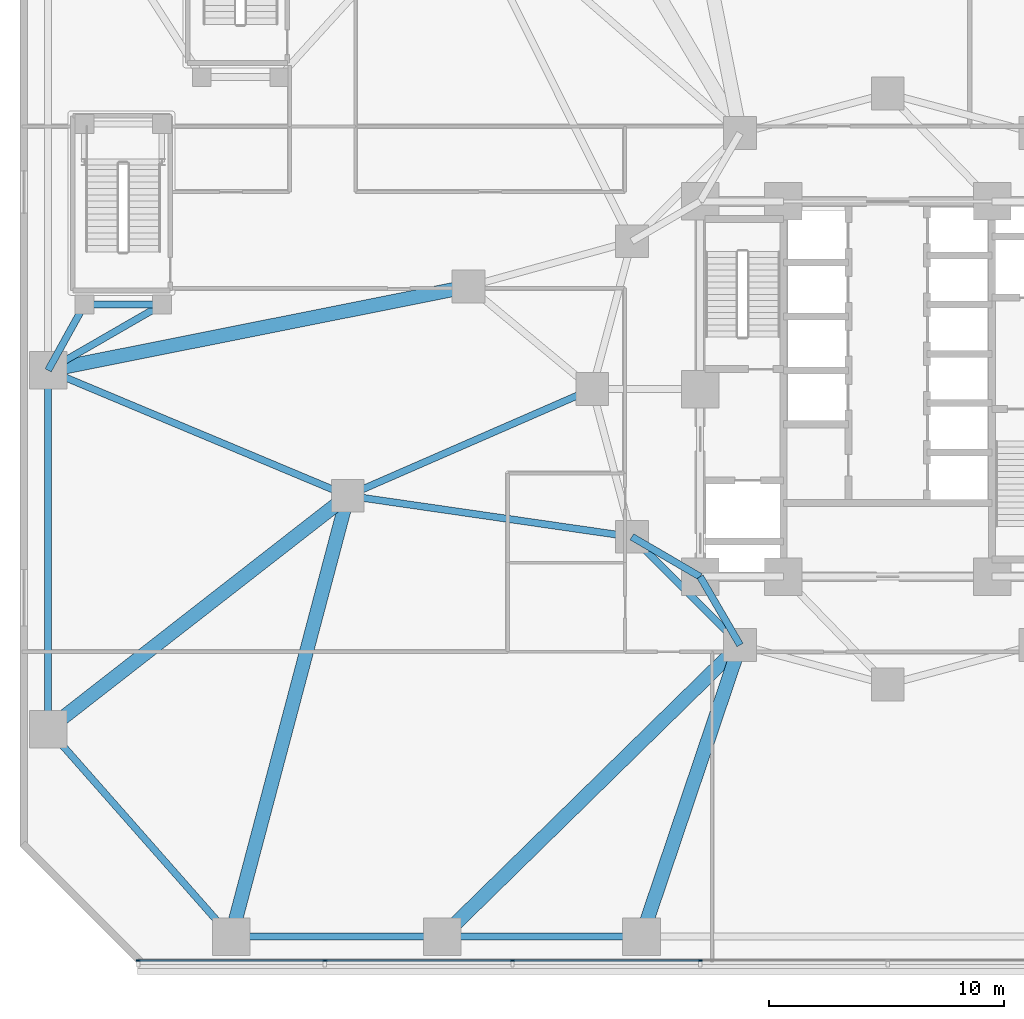
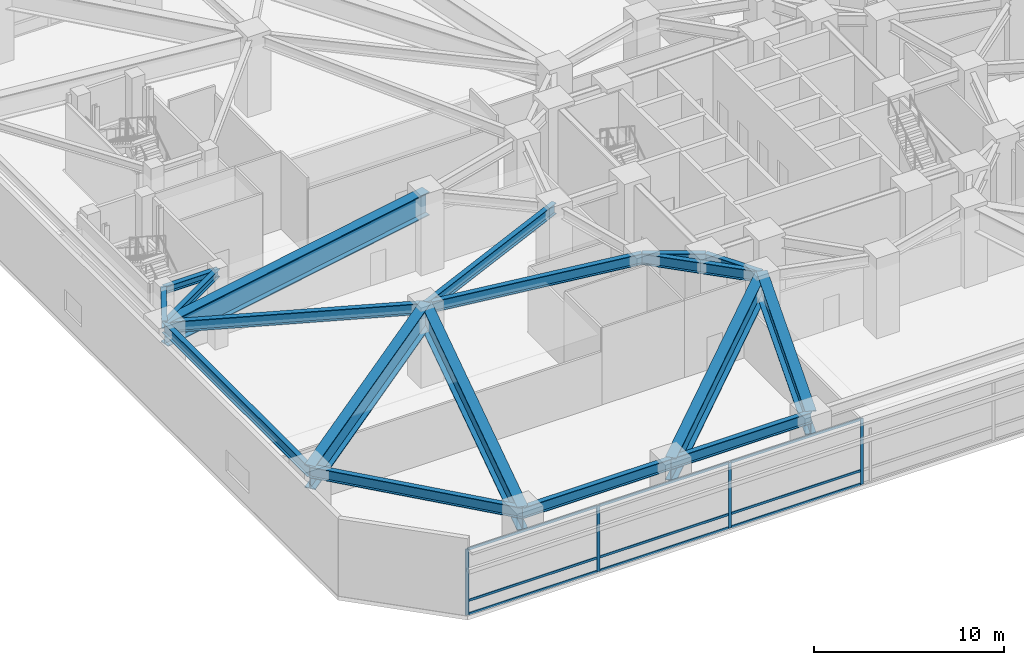
# One storey, part 5 of 27: 18 beams, 13 members, 1 element without a shape of its own.
"""IFC4 building model written with IfcOpenShell, lengths in metres."""

import ifcopenshell
import ifcopenshell.guid

model = None  # the IFC model being written
_history = None  # IfcOwnerHistory: only IFC2X3 demands one
_inside = {}  # id of a spatial element -> (the spatial element, [elements in it])
_under = {}  # id of a project, library or spatial element -> (it, [spatial elements below it])
_declared = {}  # id of a project -> (the project, [libraries it declares])
_typed = {}  # id of a type object -> (the type object, [elements of that type])
_made_of = {}  # id of a material, layer set ... -> (it, [elements and type objects made of it])


def new_model(schema):
    """Start an empty IFC model of exactly this schema.

    Asked for "IFC4X3", IfcOpenShell would pick the latest addendum, in which some entities
    have other attributes; the version numbers below select the first issue.
    IFC2X3 requires an IfcOwnerHistory on every rooted entity: one is made here for all.
    """
    global model, _history
    if schema == "IFC4X3":
        model = ifcopenshell.file(schema_version=(4, 3, 0, 0))
    else:
        model = ifcopenshell.file(schema=schema)
    _inside.clear()
    _under.clear()
    _declared.clear()
    _typed.clear()
    _made_of.clear()
    _history = None
    if model.schema == "IFC2X3":
        org = make("IfcOrganization", Name="unknown")
        user = make(
            "IfcPersonAndOrganization",
            ThePerson=make("IfcPerson", FamilyName="unknown"),
            TheOrganization=org,
        )
        app = make(
            "IfcApplication",
            ApplicationDeveloper=org,
            Version="unknown",
            ApplicationFullName="unknown",
            ApplicationIdentifier="unknown",
        )
        _history = make(
            "IfcOwnerHistory",
            OwningUser=user,
            OwningApplication=app,
            ChangeAction="ADDED",
            CreationDate=0,
        )
    return model


def make(cls, **values):
    """One entity of the class cls with the attributes given. An attribute that is None is left unset."""
    return model.create_entity(
        cls, **{name: value for name, value in values.items() if value is not None}
    )


def rooted(cls, **values):
    """An entity with a GlobalId (a new one), such as an element, a storey or a relation."""
    return make(cls, GlobalId=ifcopenshell.guid.new(), OwnerHistory=_history, **values)


def si_unit(unit_type, name, prefix=None):
    """IfcSIUnit, for example si_unit("LENGTHUNIT", "METRE", prefix="MILLI")."""
    return make("IfcSIUnit", UnitType=unit_type, Prefix=prefix, Name=name)


def assignment(units):
    """IfcUnitAssignment: the units of a project."""
    return None if units is None else make("IfcUnitAssignment", Units=units)


def point(xyz):
    """IfcCartesianPoint."""
    return None if xyz is None else make("IfcCartesianPoint", Coordinates=xyz)


def direction(xyz):
    """IfcDirection."""
    return None if xyz is None else make("IfcDirection", DirectionRatios=xyz)


def frame(location, z_axis=None, x_axis=None):
    """IfcAxis2Placement3D, a coordinate frame: its origin and axes. An axis left out is left unset."""
    return make(
        "IfcAxis2Placement3D",
        Location=point(location),
        Axis=direction(z_axis),
        RefDirection=direction(x_axis),
    )


def frame_2d(location, x_axis=None):
    """IfcAxis2Placement2D, a coordinate frame in the plane: its origin and x axis."""
    return make(
        "IfcAxis2Placement2D", Location=point(location), RefDirection=direction(x_axis)
    )


def origin():
    """The frame at (0, 0, 0) with its axes left unset."""
    return frame((0.0, 0.0, 0.0))


def origin_2d():
    """The frame at (0, 0) in the plane with its x axis left unset."""
    return frame_2d((0.0, 0.0))


def place(relative_to, where):
    """IfcLocalPlacement: puts the frame where relative to a parent placement (None: the world)."""
    return make(
        "IfcLocalPlacement", PlacementRelTo=relative_to, RelativePlacement=where
    )


def context(
    kind, dimensions, precision=None, world=None, true_north=None, identifier=None
):
    """IfcGeometricRepresentationContext, for example the 3D "Model" context."""
    return make(
        "IfcGeometricRepresentationContext",
        ContextIdentifier=identifier,
        ContextType=kind,
        CoordinateSpaceDimension=dimensions,
        Precision=precision,
        WorldCoordinateSystem=world,
        TrueNorth=true_north,
    )


def subcontext(parent, identifier, kind, view, scale=None):
    """IfcGeometricRepresentationSubContext, for example "Body" below "Model"."""
    return make(
        "IfcGeometricRepresentationSubContext",
        ContextIdentifier=identifier,
        ContextType=kind,
        ParentContext=parent,
        TargetScale=scale,
        TargetView=view,
    )


def project(units=None, contexts=None):
    """IfcProject with its units and contexts."""
    return rooted(
        "IfcProject",
        Name="project",
        RepresentationContexts=contexts,
        UnitsInContext=assignment(units),
    )


def spatial(cls, under=None, at=None, **own):
    """A site, building, storey or space (cls), placed at a placement, below another one or the project."""
    s = rooted(cls, ObjectPlacement=at, **own)
    if under is not None:
        _under.setdefault(under.id(), (under, []))[1].append(s)
    return s


def profile(cls, at=None, kind="AREA", **sizes):
    """A parametric profile (cls). Its sizes go by their IFC names, for example OverallWidth=200.0."""
    return make(cls, ProfileType=kind, Position=at, **sizes)


def rectangle(**sizes):
    """IfcRectangleProfileDef."""
    return profile("IfcRectangleProfileDef", **sizes)


def i_section(**sizes):
    """IfcIShapeProfileDef."""
    return profile("IfcIShapeProfileDef", **sizes)


def extrude(swept, where, along, depth):
    """IfcExtrudedAreaSolid: the profile swept, set in the frame where, extruded along a direction by depth."""
    return make(
        "IfcExtrudedAreaSolid",
        SweptArea=swept,
        Position=where,
        ExtrudedDirection=direction(along),
        Depth=depth,
    )


def shape(context_of_items, identifier, shape_type, items):
    """IfcShapeRepresentation: the items that make up one representation, for example the "Body"."""
    return make(
        "IfcShapeRepresentation",
        ContextOfItems=context_of_items,
        RepresentationIdentifier=identifier,
        RepresentationType=shape_type,
        Items=items,
    )


def material(Name=None, Category=None):
    """IfcMaterial."""
    return make("IfcMaterial", Name=Name, Category=Category)


def layer(
    of_material, thickness, ventilated=None, Name=None, Category=None, Priority=None
):
    """IfcMaterialLayer: one layer of a wall or slab, of a material (None: an air gap)."""
    return make(
        "IfcMaterialLayer",
        Material=of_material,
        LayerThickness=thickness,
        IsVentilated=ventilated,
        Name=Name,
        Category=Category,
        Priority=Priority,
    )


def layer_set(layers, Name=None):
    """IfcMaterialLayerSet."""
    return make("IfcMaterialLayerSet", MaterialLayers=layers, LayerSetName=Name)


def material_profile(
    of_material, cross_section, Name=None, Category=None, Priority=None
):
    """IfcMaterialProfile: a cross section and its material."""
    return make(
        "IfcMaterialProfile",
        Name=Name,
        Material=of_material,
        Profile=cross_section,
        Priority=Priority,
        Category=Category,
    )


def profile_set(profiles, Name=None, composite=None):
    """IfcMaterialProfileSet."""
    return make(
        "IfcMaterialProfileSet",
        Name=Name,
        MaterialProfiles=profiles,
        CompositeProfile=composite,
    )


def made_of(thing, what):
    """Note that an element or type object is made of a material, layer set ...; save() writes the relation."""
    if what is not None:
        _made_of.setdefault(what.id(), (what, []))[1].append(thing)
    return thing


def type_object(cls, material=None, **own):
    """A type object (cls), such as IfcWallType, which elements share."""
    return made_of(rooted(cls, **own), material)


def element(
    cls,
    number,
    at=None,
    inside=None,
    cuts=None,
    type_object=None,
    material=None,
    context=None,
    identifier="Body",
    shape_type=None,
    held_by="IfcProductDefinitionShape",
    body=None,
    shapes=None,
    **own,
):
    """One element of the class cls, such as IfcWall. Its Tag is "e" and its number.

    at: its placement. inside: the storey or other place that contains it. cuts: it is an
    opening in that element (IfcRelVoidsElement). A single representation is given by context,
    identifier, shape_type and body (its items); several are given by shapes. held_by: the class
    of the entity that holds the representations. save() writes the other relations.
    """
    e = rooted(cls, Tag="e%d" % number, ObjectPlacement=at, **own)
    if body is not None:
        shapes = [shape(context, identifier, shape_type, body)]
    if shapes is not None:
        e.Representation = make(held_by, Representations=shapes)
    if inside is not None:
        _inside.setdefault(inside.id(), (inside, []))[1].append(e)
    if cuts is not None:
        rooted(
            "IfcRelVoidsElement", RelatingBuildingElement=cuts, RelatedOpeningElement=e
        )
    if type_object is not None:
        _typed.setdefault(type_object.id(), (type_object, []))[1].append(e)
    return made_of(e, material)


def aggregate(whole, parts):
    """IfcRelAggregates: a whole, such as a stair, and the parts it consists of."""
    return rooted("IfcRelAggregates", RelatingObject=whole, RelatedObjects=parts)


def save(model, path):
    """Write the relations noted so far, then the file.

    IfcRelAggregates (storeys below a building ...), IfcRelContainedInSpatialStructure (elements
    in a storey), IfcRelDefinesByType, IfcRelAssociatesMaterial and IfcRelDeclares: one each for
    every whole, place, type object, material and project.
    """
    for whole, parts in _under.values():
        aggregate(whole, parts)
    for where, things in _inside.values():
        rooted(
            "IfcRelContainedInSpatialStructure",
            RelatedElements=things,
            RelatingStructure=where,
        )
    for kind, things in _typed.values():
        rooted("IfcRelDefinesByType", RelatedObjects=things, RelatingType=kind)
    for what, things in _made_of.values():
        rooted("IfcRelAssociatesMaterial", RelatedObjects=things, RelatingMaterial=what)
    for by, libraries in _declared.values():
        rooted("IfcRelDeclares", RelatingContext=by, RelatedDefinitions=libraries)
    model.write(path)


model = new_model("IFC4")

# Units and contexts
model_context = context("Model", 3, precision=1e-05, world=origin(), true_north=direction((0.0, 1.0)))
body_context = subcontext(model_context, "Body", "Model", "MODEL_VIEW")
ifc_project = project(units=[si_unit("LENGTHUNIT", "METRE"), si_unit("AREAUNIT", "SQUARE_METRE"), si_unit("VOLUMEUNIT", "CUBIC_METRE"), si_unit("PLANEANGLEUNIT", "RADIAN"), si_unit("MASSUNIT", "GRAM", prefix="KILO")], contexts=[model_context])

# Site, building, storey
site_placement = place(None, origin())
site = spatial("IfcSite", under=ifc_project, at=site_placement, CompositionType="ELEMENT")
building_placement = place(site_placement, origin())
building = spatial("IfcBuilding", under=site, at=building_placement, Name="Terralouvre Media Tower", CompositionType="ELEMENT")
storey_placement = place(building_placement, frame((0.0, 0.0, 15.60009765625)))
storey = spatial("IfcBuildingStorey", under=building, at=storey_placement, Name="L03", CompositionType="ELEMENT", Elevation=15.60009765625)

# Curtain wall, members
ifc_material_1 = material(Name="Low-iron laminated double glazing with solar-control coating", Category="glass")
ifc_layer = layer(ifc_material_1, 0.1650390625, Name="Podium Broadcast Gallery Glazing CW-01")
ifc_layer_set = layer_set([ifc_layer], Name="Low-iron laminated double glazing with solar-control coating")
curtain_wall_type = type_object("IfcCurtainWallType", Name="Podium Broadcast Gallery Glazing CW-01", PredefinedType="NOTDEFINED", material=ifc_layer_set)
curtain_wall_placement = place(storey_placement, origin())
curtain_wall = element("IfcCurtainWall", 1, at=curtain_wall_placement, inside=storey, type_object=curtain_wall_type, Name="L03 Podium Curtain Wall F0", PredefinedType="NOTDEFINED")
ifc_material_2 = material(Name="Anodised extruded aluminium 6063-T6", Category="aluminium")
ifc_material_profile_1 = material_profile(ifc_material_2, rectangle(XDim=0.074951171875, YDim=0.14990234375, at=origin_2d()), Name="ALU 75x150")
ifc_profile_set_1 = profile_set([ifc_material_profile_1], Name="Anodised extruded aluminium 6063-T6")
member_type_1 = type_object("IfcMemberType", Name="Curtain-Wall Horizontal Transom TR-150", PredefinedType="USERDEFINED", material=ifc_profile_set_1)
member_1_placement = place(storey_placement, frame((-31.925048828125, -24.360107421875, 0.037353515625), z_axis=(1.0, 0.0, 0.0), x_axis=(0.0, 1.0, 0.0)))
member_1 = element("IfcMember", 2, at=member_1_placement, type_object=member_type_1, Name="CW-01 transom 1.1", ObjectType="TRANSOM", PredefinedType="USERDEFINED", context=body_context, shape_type="SweptSolid", body=[
    extrude(rectangle(XDim=0.074951171875, YDim=0.14990234375, at=origin_2d()), origin(), (0.0, 0.0, 1.0), 7.887451171875),
])
member_2_placement = place(storey_placement, frame((-31.925048828125, -24.360107421875, 0.89990234375), z_axis=(1.0, 0.0, 0.0), x_axis=(0.0, 1.0, 0.0)))
member_2 = element("IfcMember", 3, at=member_2_placement, type_object=member_type_1, Name="CW-01 transom 1.2", ObjectType="TRANSOM", PredefinedType="USERDEFINED", context=body_context, shape_type="SweptSolid", body=[
    extrude(rectangle(XDim=0.074951171875, YDim=0.14990234375, at=origin_2d()), origin(), (0.0, 0.0, 1.0), 7.887451171875),
])
member_3_placement = place(storey_placement, frame((-31.925048828125, -24.360107421875, 4.1923828125), z_axis=(1.0, 0.0, 0.0), x_axis=(0.0, 1.0, 0.0)))
member_3 = element("IfcMember", 4, at=member_3_placement, type_object=member_type_1, Name="CW-01 transom 1.3", ObjectType="TRANSOM", PredefinedType="USERDEFINED", context=body_context, shape_type="SweptSolid", body=[
    extrude(rectangle(XDim=0.074951171875, YDim=0.14990234375, at=origin_2d()), origin(), (0.0, 0.0, 1.0), 7.887451171875),
])
member_4_placement = place(storey_placement, frame((-23.96240234375, -24.360107421875, 0.037353515625), z_axis=(1.0, 0.0, 0.0), x_axis=(0.0, 1.0, 0.0)))
member_4 = element("IfcMember", 5, at=member_4_placement, type_object=member_type_1, Name="CW-01 transom 2.1", ObjectType="TRANSOM", PredefinedType="USERDEFINED", context=body_context, shape_type="SweptSolid", body=[
    extrude(rectangle(XDim=0.074951171875, YDim=0.14990234375, at=origin_2d()), origin(), (0.0, 0.0, 1.0), 7.9248046875),
])
member_5_placement = place(storey_placement, frame((-23.96240234375, -24.360107421875, 0.89990234375), z_axis=(1.0, 0.0, 0.0), x_axis=(0.0, 1.0, 0.0)))
member_5 = element("IfcMember", 6, at=member_5_placement, type_object=member_type_1, Name="CW-01 transom 2.2", ObjectType="TRANSOM", PredefinedType="USERDEFINED", context=body_context, shape_type="SweptSolid", body=[
    extrude(rectangle(XDim=0.074951171875, YDim=0.14990234375, at=origin_2d()), origin(), (0.0, 0.0, 1.0), 7.9248046875),
])
member_6_placement = place(storey_placement, frame((-23.96240234375, -24.360107421875, 4.1923828125), z_axis=(1.0, 0.0, 0.0), x_axis=(0.0, 1.0, 0.0)))
member_6 = element("IfcMember", 7, at=member_6_placement, type_object=member_type_1, Name="CW-01 transom 2.3", ObjectType="TRANSOM", PredefinedType="USERDEFINED", context=body_context, shape_type="SweptSolid", body=[
    extrude(rectangle(XDim=0.074951171875, YDim=0.14990234375, at=origin_2d()), origin(), (0.0, 0.0, 1.0), 7.9248046875),
])
member_7_placement = place(storey_placement, frame((-15.96240234375, -24.360107421875, 0.037353515625), z_axis=(1.0, 0.0, 0.0), x_axis=(0.0, 1.0, 0.0)))
member_7 = element("IfcMember", 8, at=member_7_placement, type_object=member_type_1, Name="CW-01 transom 3.1", ObjectType="TRANSOM", PredefinedType="USERDEFINED", context=body_context, shape_type="SweptSolid", body=[
    extrude(rectangle(XDim=0.074951171875, YDim=0.14990234375, at=origin_2d()), origin(), (0.0, 0.0, 1.0), 7.9248046875),
])
member_8_placement = place(storey_placement, frame((-15.96240234375, -24.360107421875, 0.89990234375), z_axis=(1.0, 0.0, 0.0), x_axis=(0.0, 1.0, 0.0)))
member_8 = element("IfcMember", 9, at=member_8_placement, type_object=member_type_1, Name="CW-01 transom 3.2", ObjectType="TRANSOM", PredefinedType="USERDEFINED", context=body_context, shape_type="SweptSolid", body=[
    extrude(rectangle(XDim=0.074951171875, YDim=0.14990234375, at=origin_2d()), origin(), (0.0, 0.0, 1.0), 7.9248046875),
])
member_9_placement = place(storey_placement, frame((-15.96240234375, -24.360107421875, 4.1923828125), z_axis=(1.0, 0.0, 0.0), x_axis=(0.0, 1.0, 0.0)))
member_9 = element("IfcMember", 10, at=member_9_placement, type_object=member_type_1, Name="CW-01 transom 3.3", ObjectType="TRANSOM", PredefinedType="USERDEFINED", context=body_context, shape_type="SweptSolid", body=[
    extrude(rectangle(XDim=0.074951171875, YDim=0.14990234375, at=origin_2d()), origin(), (0.0, 0.0, 1.0), 7.9248046875),
])
ifc_material_3 = material(Name="Anodised extruded aluminium 6063-T6", Category="aluminium")
ifc_material_profile_2 = material_profile(ifc_material_3, rectangle(XDim=0.074951171875, YDim=0.179931640625, at=origin_2d()), Name="ALU 75x180")
ifc_profile_set_2 = profile_set([ifc_material_profile_2], Name="Anodised extruded aluminium 6063-T6")
member_type_2 = type_object("IfcMemberType", Name="Curtain-Wall Vertical Mullion ML-180", PredefinedType="MULLION", material=ifc_profile_set_2)
member_10_placement = place(storey_placement, frame((-31.96240234375, -24.360107421875, 0.0), z_axis=(0.0, 0.0, 1.0), x_axis=(0.0, 1.0, 0.0)))
member_10 = element("IfcMember", 11, at=member_10_placement, type_object=member_type_2, Name="CW-01 mullion 1", PredefinedType="MULLION", context=body_context, shape_type="SweptSolid", body=[
    extrude(rectangle(XDim=0.074951171875, YDim=0.179931640625, at=origin_2d()), origin(), (0.0, 0.0, 1.0), 4.22998046875),
])
member_11_placement = place(storey_placement, frame((-24.0, -24.360107421875, 0.0), z_axis=(0.0, 0.0, 1.0), x_axis=(0.0, 1.0, 0.0)))
member_11 = element("IfcMember", 12, at=member_11_placement, type_object=member_type_2, Name="CW-01 mullion 2", PredefinedType="MULLION", context=body_context, shape_type="SweptSolid", body=[
    extrude(rectangle(XDim=0.074951171875, YDim=0.179931640625, at=origin_2d()), origin(), (0.0, 0.0, 1.0), 4.22998046875),
])
member_12_placement = place(storey_placement, frame((-16.0, -24.360107421875, 0.0), z_axis=(0.0, 0.0, 1.0), x_axis=(0.0, 1.0, 0.0)))
member_12 = element("IfcMember", 13, at=member_12_placement, type_object=member_type_2, Name="CW-01 mullion 3", PredefinedType="MULLION", context=body_context, shape_type="SweptSolid", body=[
    extrude(rectangle(XDim=0.074951171875, YDim=0.179931640625, at=origin_2d()), origin(), (0.0, 0.0, 1.0), 4.22998046875),
])
member_13_placement = place(storey_placement, frame((-8.0, -24.360107421875, 0.0), z_axis=(0.0, 0.0, 1.0), x_axis=(0.0, 1.0, 0.0)))
member_13 = element("IfcMember", 14, at=member_13_placement, type_object=member_type_2, Name="CW-01 mullion 4", PredefinedType="MULLION", context=body_context, shape_type="SweptSolid", body=[
    extrude(rectangle(XDim=0.074951171875, YDim=0.179931640625, at=origin_2d()), origin(), (0.0, 0.0, 1.0), 4.22998046875),
])
aggregate(curtain_wall, [member_10, member_11, member_12, member_13, member_1, member_2, member_3, member_4, member_5, member_6, member_7, member_8, member_9])

# Beams
ifc_material_4 = material(Name="Structural steel S355J2", Category="steel")
ifc_material_profile_3 = material_profile(ifc_material_4, i_section(OverallWidth=0.300048828125, OverallDepth=0.449951171875, WebThickness=0.013916015625, FlangeThickness=0.02587890625, at=origin_2d()), Name="HEB 450")
ifc_profile_set_3 = profile_set([ifc_material_profile_3], Name="Structural steel S355J2")
beam_type_1 = type_object("IfcBeamType", Name="Primary Floor Girder B-HEB450 (HEB 450)", PredefinedType="BEAM", material=ifc_profile_set_3)
beam_1_placement = place(storey_placement, frame((-34.25, 3.60009765625, 4.724853515625), z_axis=(1.0, 0.0, 0.0), x_axis=(0.0, 1.0, 0.0)))
element("IfcBeam", 15, at=beam_1_placement, inside=storey, type_object=beam_type_1, Name="L03 Framing Beam BM-L03-PVST31", PredefinedType="BEAM", context=body_context, shape_type="SweptSolid", body=[
    extrude(i_section(OverallWidth=0.300048828125, OverallDepth=0.449951171875, WebThickness=0.013916015625, FlangeThickness=0.02587890625, at=origin_2d()), origin(), (0.0, 0.0, 1.0), 3.300048828125),
])
ifc_material_5 = material(Name="Structural steel S355J2", Category="steel")
ifc_material_profile_4 = material_profile(ifc_material_5, i_section(OverallWidth=0.300048828125, OverallDepth=0.5, WebThickness=0.014404296875, FlangeThickness=0.028076171875, at=origin_2d()), Name="HEB 500")
ifc_profile_set_4 = profile_set([ifc_material_profile_4], Name="Structural steel S355J2")
beam_type_2 = type_object("IfcBeamType", Name="Primary Floor Girder B-HEB500 (HEB 500)", PredefinedType="BEAM", material=ifc_profile_set_4)
beam_2_placement = place(storey_placement, frame((-34.25, 3.60009765625, 4.699951171875), z_axis=(-0.484321096397, -0.874890322032, 0.0), x_axis=(0.874890322032, -0.484321096397, 0.0)))
element("IfcBeam", 16, at=beam_2_placement, inside=storey, type_object=beam_type_2, Name="L03 Framing Beam BM-L03-PVTST31", PredefinedType="BEAM", context=body_context, shape_type="SweptSolid", body=[
    extrude(i_section(OverallWidth=0.300048828125, OverallDepth=0.5, WebThickness=0.014404296875, FlangeThickness=0.028076171875, at=origin_2d()), origin(), (0.0, 0.0, 1.0), 3.200439453125),
])
beam_3_placement = place(storey_placement, frame((-30.949951171875, 3.60009765625, 4.699951171875), z_axis=(-0.866037493094, -0.499979060117, 0.0), x_axis=(0.499979060117, -0.866037493094, 0.0)))
element("IfcBeam", 17, at=beam_3_placement, inside=storey, type_object=beam_type_2, Name="L03 Framing Beam BM-L03-PVTST32", PredefinedType="BEAM", context=body_context, shape_type="SweptSolid", body=[
    extrude(i_section(OverallWidth=0.300048828125, OverallDepth=0.5, WebThickness=0.014404296875, FlangeThickness=0.028076171875, at=origin_2d()), origin(), (0.0, 0.0, 1.0), 5.600341796875),
])
ifc_material_6 = material(Name="Structural steel S460M", Category="steel")
ifc_material_profile_5 = material_profile(ifc_material_6, i_section(OverallWidth=0.300048828125, OverallDepth=0.699951171875, WebThickness=0.01708984375, FlangeThickness=0.031982421875, at=origin_2d()), Name="HEB 700")
ifc_profile_set_5 = profile_set([ifc_material_profile_5], Name="Structural steel S460M")
beam_type_3 = type_object("IfcBeamType", Name="Primary Floor Girder B-HEB700 (HEB 700)", PredefinedType="BEAM", material=ifc_profile_set_5)
beam_4_placement = place(storey_placement, frame((-10.911865234375, -6.300048828125, 4.599853515625), z_axis=(0.707106781187, -0.707106781187, 0.0), x_axis=(0.707106781187, 0.707106781187, 0.0)))
element("IfcBeam", 18, at=beam_4_placement, inside=storey, type_object=beam_type_3, Name="L03 Framing Beam BM-L03-MR01", PredefinedType="BEAM", context=body_context, shape_type="SweptSolid", body=[
    extrude(i_section(OverallWidth=0.300048828125, OverallDepth=0.699951171875, WebThickness=0.01708984375, FlangeThickness=0.031982421875, at=origin_2d()), origin(), (0.0, 0.0, 1.0), 6.52197265625),
])
for number, where, z_axis, x_axis, name in (
    (19, (-8.0, -8.0, 4.599853515625), (-0.863602894532, 0.504172629717, 0.0), (-0.504172629717, -0.863602894532, 0.0), "L03 Framing Beam BM-L03-CM01"),
    (20, (-8.0, -8.0, 4.599853515625), (0.504172629717, -0.863602894532, 0.0), (0.863602894532, 0.504172629717, 0.0), "L03 Framing Beam BM-L03-CM02"),
):
    element("IfcBeam", number, at=place(storey_placement, frame(where, z_axis=z_axis, x_axis=x_axis)), inside=storey, type_object=beam_type_3, Name=name, PredefinedType="BEAM", context=body_context, shape_type="SweptSolid", body=[
        extrude(i_section(OverallWidth=0.300048828125, OverallDepth=0.699951171875, WebThickness=0.01708984375, FlangeThickness=0.031982421875, at=origin_2d()), origin(), (0.0, 0.0, 1.0), 3.371826171875),
    ])
beam_5_placement = place(storey_placement, frame((-12.60009765625, 0.0, 4.599853515625), z_axis=(-0.916615903868, -0.399769039291, 0.0), x_axis=(0.399769039291, -0.916615903868, 0.0)))
element("IfcBeam", 21, at=beam_5_placement, inside=storey, type_object=beam_type_3, Name="L03 Framing Beam BM-L03-PM24M1", PredefinedType="BEAM", context=body_context, shape_type="SweptSolid", body=[
    extrude(i_section(OverallWidth=0.300048828125, OverallDepth=0.699951171875, WebThickness=0.01708984375, FlangeThickness=0.031982421875, at=origin_2d()), origin(), (0.0, 0.0, 1.0), 11.373046875),
])
beam_6_placement = place(storey_placement, frame((-10.911865234375, -6.300048828125, 4.599853515625), z_axis=(-0.989684877742, 0.143261448996, 0.0), x_axis=(-0.143261448996, -0.989684877742, 0.0)))
element("IfcBeam", 22, at=beam_6_placement, inside=storey, type_object=beam_type_3, Name="L03 Framing Beam BM-L03-PM24M2", PredefinedType="BEAM", context=body_context, shape_type="SweptSolid", body=[
    extrude(i_section(OverallWidth=0.300048828125, OverallDepth=0.699951171875, WebThickness=0.01708984375, FlangeThickness=0.031982421875, at=origin_2d()), origin(), (0.0, 0.0, 1.0), 12.2392578125),
])
beam_7_placement = place(storey_placement, frame((-23.02490234375, -4.546630859375, 4.599853515625), z_axis=(-0.922468147364, 0.386073201737, 0.0), x_axis=(-0.386073201737, -0.922468147364, 0.0)))
element("IfcBeam", 23, at=beam_7_placement, inside=storey, type_object=beam_type_3, Name="L03 Framing Beam BM-L03-PM24P1", PredefinedType="BEAM", context=body_context, shape_type="SweptSolid", body=[
    extrude(i_section(OverallWidth=0.300048828125, OverallDepth=0.699951171875, WebThickness=0.01708984375, FlangeThickness=0.031982421875, at=origin_2d()), origin(), (0.0, 0.0, 1.0), 13.848876953125),
])
beam_8_placement = place(storey_placement, frame((-35.800048828125, -14.5, 4.599853515625), z_axis=(0.661199207896, -0.75021037548, 0.0), x_axis=(0.75021037548, 0.661199207896, 0.0)))
element("IfcBeam", 24, at=beam_8_placement, inside=storey, type_object=beam_type_3, Name="L03 Framing Beam BM-L03-PR01", PredefinedType="BEAM", context=body_context, shape_type="SweptSolid", body=[
    extrude(i_section(OverallWidth=0.300048828125, OverallDepth=0.699951171875, WebThickness=0.01708984375, FlangeThickness=0.031982421875, at=origin_2d()), origin(), (0.0, 0.0, 1.0), 11.796875),
])
beam_9_placement = place(storey_placement, frame((-28.0, -23.35009765625, 4.599853515625), z_axis=(1.0, 0.0, 0.0), x_axis=(0.0, 1.0, 0.0)))
element("IfcBeam", 25, at=beam_9_placement, inside=storey, type_object=beam_type_3, Name="L03 Framing Beam BM-L03-PR02", PredefinedType="BEAM", context=body_context, shape_type="SweptSolid", body=[
    extrude(i_section(OverallWidth=0.300048828125, OverallDepth=0.699951171875, WebThickness=0.01708984375, FlangeThickness=0.031982421875, at=origin_2d()), origin(), (0.0, 0.0, 1.0), 9.0),
])
beam_10_placement = place(storey_placement, frame((-19.0, -23.35009765625, 4.599853515625), z_axis=(1.0, 0.0, 0.0), x_axis=(0.0, 1.0, 0.0)))
element("IfcBeam", 26, at=beam_10_placement, inside=storey, type_object=beam_type_3, Name="L03 Framing Beam BM-L03-PR03", PredefinedType="BEAM", context=body_context, shape_type="SweptSolid", body=[
    extrude(i_section(OverallWidth=0.300048828125, OverallDepth=0.699951171875, WebThickness=0.01708984375, FlangeThickness=0.031982421875, at=origin_2d()), origin(), (0.0, 0.0, 1.0), 8.5),
])
beam_11_placement = place(storey_placement, frame((-35.800048828125, 0.800048828125, 4.599853515625), z_axis=(0.0, -1.0, 0.0), x_axis=(1.0, 0.0, 0.0)))
element("IfcBeam", 27, at=beam_11_placement, inside=storey, type_object=beam_type_3, Name="L03 Framing Beam BM-L03-PR18", PredefinedType="BEAM", context=body_context, shape_type="SweptSolid", body=[
    extrude(i_section(OverallWidth=0.300048828125, OverallDepth=0.699951171875, WebThickness=0.01708984375, FlangeThickness=0.031982421875, at=origin_2d()), origin(), (0.0, 0.0, 1.0), 15.300048828125),
])
ifc_material_7 = material(Name="Structural steel S460M", Category="steel")
ifc_material_profile_6 = material_profile(ifc_material_7, i_section(OverallWidth=0.60009765625, OverallDepth=1.5, WebThickness=0.033935546875, FlangeThickness=0.054931640625, at=origin_2d()), Name="PG 1500x600")
ifc_profile_set_6 = profile_set([ifc_material_profile_6], Name="Structural steel S460M")
beam_type_4 = type_object("IfcBeamType", Name="Primary Floor Girder B-PG1500 (PG 1500x600)", PredefinedType="BEAM", material=ifc_profile_set_6)
beam_12_placement = place(storey_placement, frame((-23.02490234375, -4.546630859375, 4.199951171875), z_axis=(-0.788838921833, -0.614599996259, 0.0), x_axis=(0.614599996259, -0.788838921833, 0.0)))
element("IfcBeam", 28, at=beam_12_placement, inside=storey, type_object=beam_type_4, Name="L03 Framing Beam BM-L03-RD01", PredefinedType="BEAM", context=body_context, shape_type="SweptSolid", body=[
    extrude(i_section(OverallWidth=0.60009765625, OverallDepth=1.5, WebThickness=0.033935546875, FlangeThickness=0.054931640625, at=origin_2d()), origin(), (0.0, 0.0, 1.0), 16.19482421875),
])
beam_13_placement = place(storey_placement, frame((-23.02490234375, -4.546630859375, 4.199951171875), z_axis=(-0.25578250381, -0.966734353762, 0.0), x_axis=(0.966734353762, -0.25578250381, 0.0)))
element("IfcBeam", 29, at=beam_13_placement, inside=storey, type_object=beam_type_4, Name="L03 Framing Beam BM-L03-RD02", PredefinedType="BEAM", context=body_context, shape_type="SweptSolid", body=[
    extrude(i_section(OverallWidth=0.60009765625, OverallDepth=1.5, WebThickness=0.033935546875, FlangeThickness=0.054931640625, at=origin_2d()), origin(), (0.0, 0.0, 1.0), 19.450439453125),
])
beam_14_placement = place(storey_placement, frame((-6.300048828125, -10.911865234375, 4.199951171875), z_axis=(-0.714429895313, -0.69970702775, 0.0), x_axis=(0.69970702775, -0.714429895313, 0.0)))
element("IfcBeam", 30, at=beam_14_placement, inside=storey, type_object=beam_type_4, Name="L03 Framing Beam BM-L03-RD03", PredefinedType="BEAM", context=body_context, shape_type="SweptSolid", body=[
    extrude(i_section(OverallWidth=0.60009765625, OverallDepth=1.5, WebThickness=0.033935546875, FlangeThickness=0.054931640625, at=origin_2d()), origin(), (0.0, 0.0, 1.0), 17.7763671875),
])
beam_15_placement = place(storey_placement, frame((-6.300048828125, -10.911865234375, 4.199951171875), z_axis=(-0.319918670086, -0.947445008711, 0.0), x_axis=(0.947445008711, -0.319918670086, 0.0)))
element("IfcBeam", 31, at=beam_15_placement, inside=storey, type_object=beam_type_4, Name="L03 Framing Beam BM-L03-RD04", PredefinedType="BEAM", context=body_context, shape_type="SweptSolid", body=[
    extrude(i_section(OverallWidth=0.60009765625, OverallDepth=1.5, WebThickness=0.033935546875, FlangeThickness=0.054931640625, at=origin_2d()), origin(), (0.0, 0.0, 1.0), 13.128173828125),
])
beam_16_placement = place(storey_placement, frame((-17.874755859375, 4.373291015625, 4.199951171875), z_axis=(-0.980704802412, -0.19549447697, 0.0), x_axis=(0.19549447697, -0.980704802412, 0.0)))
element("IfcBeam", 32, at=beam_16_placement, inside=storey, type_object=beam_type_4, Name="L03 Framing Beam BM-L03-RD18", PredefinedType="BEAM", context=body_context, shape_type="SweptSolid", body=[
    extrude(i_section(OverallWidth=0.60009765625, OverallDepth=1.5, WebThickness=0.033935546875, FlangeThickness=0.054931640625, at=origin_2d()), origin(), (0.0, 0.0, 1.0), 18.278076171875),
])

save(model, "model.ifc")
